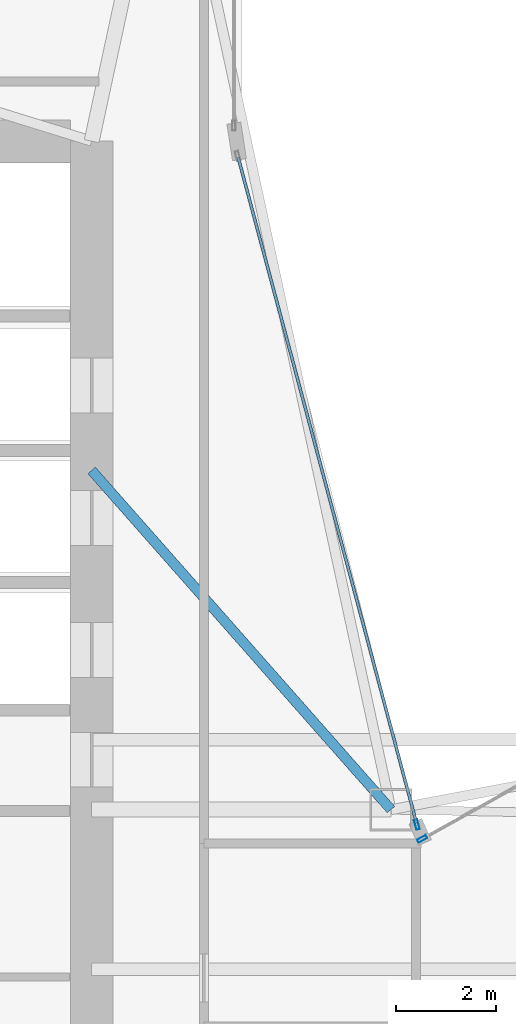
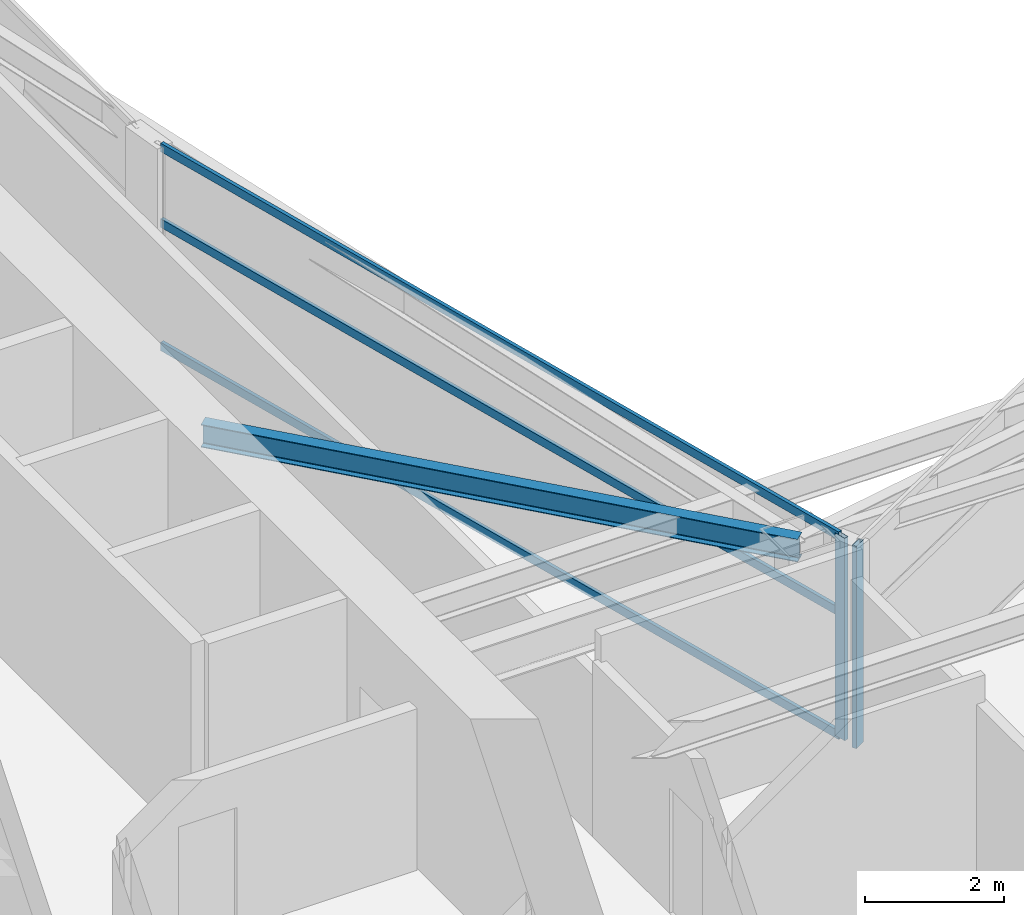
# One storey, part 10 of 28: 5 members, 1 beam, 2 elements without a shape of their own.
"""IFC4 building model written with IfcOpenShell, lengths in metres."""

from ifc_helpers import new_model, si_unit, direction, frame, origin, origin_2d, place, context, subcontext, project, spatial, hollow_rectangle, i_section, extrude, material, layer, layer_set, material_profile, profile_set, type_object, element, aggregate, save


model = new_model("IFC4")

# Units and contexts
model_context = context("Model", 3, precision=1e-05, world=origin(), true_north=direction((0.0, 1.0)))
body_context = subcontext(model_context, "Body", "Model", "MODEL_VIEW")
ifc_project = project(units=[si_unit("LENGTHUNIT", "METRE"), si_unit("AREAUNIT", "SQUARE_METRE"), si_unit("VOLUMEUNIT", "CUBIC_METRE"), si_unit("PLANEANGLEUNIT", "RADIAN"), si_unit("MASSUNIT", "GRAM", prefix="KILO")], contexts=[model_context])

# Site, building, storey
site_placement = place(None, origin())
site = spatial("IfcSite", under=ifc_project, at=site_placement, CompositionType="ELEMENT")
building_placement = place(site_placement, origin())
building = spatial("IfcBuilding", under=site, at=building_placement, Name="Calvorn Quay Hotel", CompositionType="ELEMENT")
storey_placement = place(building_placement, frame((0.0, 0.0, 108.800048828125)))
storey = spatial("IfcBuildingStorey", under=building, at=storey_placement, Name="L26", CompositionType="ELEMENT", Elevation=108.800048828125)

# Beam
ifc_material_1 = material(Name="Steel Q355B", Category="steel")
ifc_material_profile_1 = material_profile(ifc_material_1, i_section(OverallWidth=0.199951171875, OverallDepth=0.39990234375, WebThickness=0.008056640625, FlangeThickness=0.012939453125, FilletRadius=0.01611328125, at=origin_2d()), Name="HN400x200x8x13")
ifc_profile_set_1 = profile_set([ifc_material_profile_1], Name="Steel Q355B")
beam_type = type_object("IfcBeamType", Name="BM-JOIST-TYP", PredefinedType="JOIST", material=ifc_profile_set_1)
beam_placement = place(storey_placement, frame((15.0, 31.800048828125, 3.33984375), z_axis=(0.661618965899, -0.749840212287, 0.0), x_axis=(0.749840212287, 0.661618965899, 0.0)))
element("IfcBeam", 1, at=beam_placement, inside=storey, type_object=beam_type, Name="Beam BJ-L26-C1", PredefinedType="JOIST", context=body_context, shape_type="SweptSolid", body=[
    extrude(i_section(OverallWidth=0.199951171875, OverallDepth=0.39990234375, WebThickness=0.008056640625, FlangeThickness=0.012939453125, FilletRadius=0.01611328125, at=origin_2d()), origin(), (0.0, 0.0, 1.0), 9.068603515625),
])

# Curtain wall, member
ifc_material_2 = material(Name="Pale Anodised Aluminium and Low-E Glass", Category="aluminium")
ifc_layer = layer(ifc_material_2, 0.219970703125)
ifc_layer_set = layer_set([ifc_layer], Name="CW-SYS-Z2")
curtain_wall_type = type_object("IfcCurtainWallType", Name="CW-SYS-Z2", PredefinedType="NOTDEFINED", material=ifc_layer_set)
curtain_wall_1_placement = place(storey_placement, origin())
curtain_wall_1 = element("IfcCurtainWall", 2, at=curtain_wall_1_placement, inside=storey, type_object=curtain_wall_type, Name="Inner Court Curtain Wall L26-NE1", PredefinedType="NOTDEFINED")
ifc_material_3 = material(Name="Pale Anodised Aluminium 6063-T6", Category="aluminium")
ifc_material_profile_2 = material_profile(ifc_material_3, hollow_rectangle(XDim=0.070068359375, YDim=0.199951171875, WallThickness=0.00390625, at=origin_2d()), Name="ALU-M200x70x4")
ifc_profile_set_2 = profile_set([ifc_material_profile_2], Name="Pale Anodised Aluminium 6063-T6")
member_type_1 = type_object("IfcMemberType", Name="CW-SYS-Z2-MUL", PredefinedType="MULLION", material=ifc_profile_set_2)
member_1_placement = place(storey_placement, frame((21.626220703125, 24.41455078125, 0.0), z_axis=(0.0, 0.0, 1.0), x_axis=(0.486858256224, -0.873480989116, 0.0)))
member_1 = element("IfcMember", 3, at=member_1_placement, type_object=member_type_1, Name="CW-L26-NE1 mullion 4", PredefinedType="MULLION", context=body_context, shape_type="SweptSolid", body=[
    extrude(hollow_rectangle(XDim=0.070068359375, YDim=0.199951171875, WallThickness=0.00390625, at=origin_2d()), origin(), (0.0, 0.0, 1.0), 3.56005859375),
])
aggregate(curtain_wall_1, [member_1])

# Curtain wall, members
curtain_wall_2_placement = place(storey_placement, origin())
curtain_wall_2 = element("IfcCurtainWall", 4, at=curtain_wall_2_placement, inside=storey, type_object=curtain_wall_type, Name="Inner Court Curtain Wall L26-IC1", PredefinedType="NOTDEFINED")
member_2_placement = place(storey_placement, frame((21.520263671875, 24.698974609375, 0.0), z_axis=(0.0, 0.0, 1.0), x_axis=(-0.96593652056, -0.25877913024, 0.0)))
member_2 = element("IfcMember", 5, at=member_2_placement, type_object=member_type_1, Name="CW-L26-IC1 mullion 1", PredefinedType="MULLION", context=body_context, shape_type="SweptSolid", body=[
    extrude(hollow_rectangle(XDim=0.070068359375, YDim=0.199951171875, WallThickness=0.00390625, at=origin_2d()), origin(), (0.0, 0.0, 1.0), 3.56005859375),
])
ifc_material_4 = material(Name="Pale Anodised Aluminium 6063-T6", Category="aluminium")
ifc_material_profile_3 = material_profile(ifc_material_4, hollow_rectangle(XDim=0.06005859375, YDim=0.14990234375, WallThickness=0.00341796875, at=origin_2d()), Name="ALU-T150x60x3.5")
ifc_profile_set_3 = profile_set([ifc_material_profile_3], Name="Pale Anodised Aluminium 6063-T6")
member_type_2 = type_object("IfcMemberType", Name="CW-SYS-Z2-TRN", PredefinedType="USERDEFINED", material=ifc_profile_set_3)
member_3_placement = place(storey_placement, frame((21.512451171875, 24.72802734375, 0.030029296875), z_axis=(-0.258781136883, 0.965935982969, 0.0), x_axis=(-0.965935982969, -0.258781136883, 0.0)))
member_3 = element("IfcMember", 6, at=member_3_placement, type_object=member_type_2, Name="CW-L26-IC1 transom 1.1", ObjectType="TRANSOM", PredefinedType="USERDEFINED", context=body_context, shape_type="SweptSolid", body=[
    extrude(hollow_rectangle(XDim=0.06005859375, YDim=0.14990234375, WallThickness=0.00341796875, at=origin_2d()), origin(), (0.0, 0.0, 1.0), 13.814453125),
])
member_4_placement = place(storey_placement, frame((21.512451171875, 24.72802734375, 2.199951171875), z_axis=(-0.258781136883, 0.965935982969, 0.0), x_axis=(-0.965935982969, -0.258781136883, 0.0)))
member_4 = element("IfcMember", 7, at=member_4_placement, type_object=member_type_2, Name="CW-L26-IC1 transom 1.2", ObjectType="TRANSOM", PredefinedType="USERDEFINED", context=body_context, shape_type="SweptSolid", body=[
    extrude(hollow_rectangle(XDim=0.06005859375, YDim=0.14990234375, WallThickness=0.00341796875, at=origin_2d()), origin(), (0.0, 0.0, 1.0), 13.814453125),
])
member_5_placement = place(storey_placement, frame((21.512451171875, 24.72802734375, 3.530029296875), z_axis=(-0.258781136883, 0.965935982969, 0.0), x_axis=(-0.965935982969, -0.258781136883, 0.0)))
member_5 = element("IfcMember", 8, at=member_5_placement, type_object=member_type_2, Name="CW-L26-IC1 transom 1.3", ObjectType="TRANSOM", PredefinedType="USERDEFINED", context=body_context, shape_type="SweptSolid", body=[
    extrude(hollow_rectangle(XDim=0.06005859375, YDim=0.14990234375, WallThickness=0.00341796875, at=origin_2d()), origin(), (0.0, 0.0, 1.0), 13.814453125),
])
aggregate(curtain_wall_2, [member_2, member_3, member_4, member_5])

save(model, "model.ifc")
